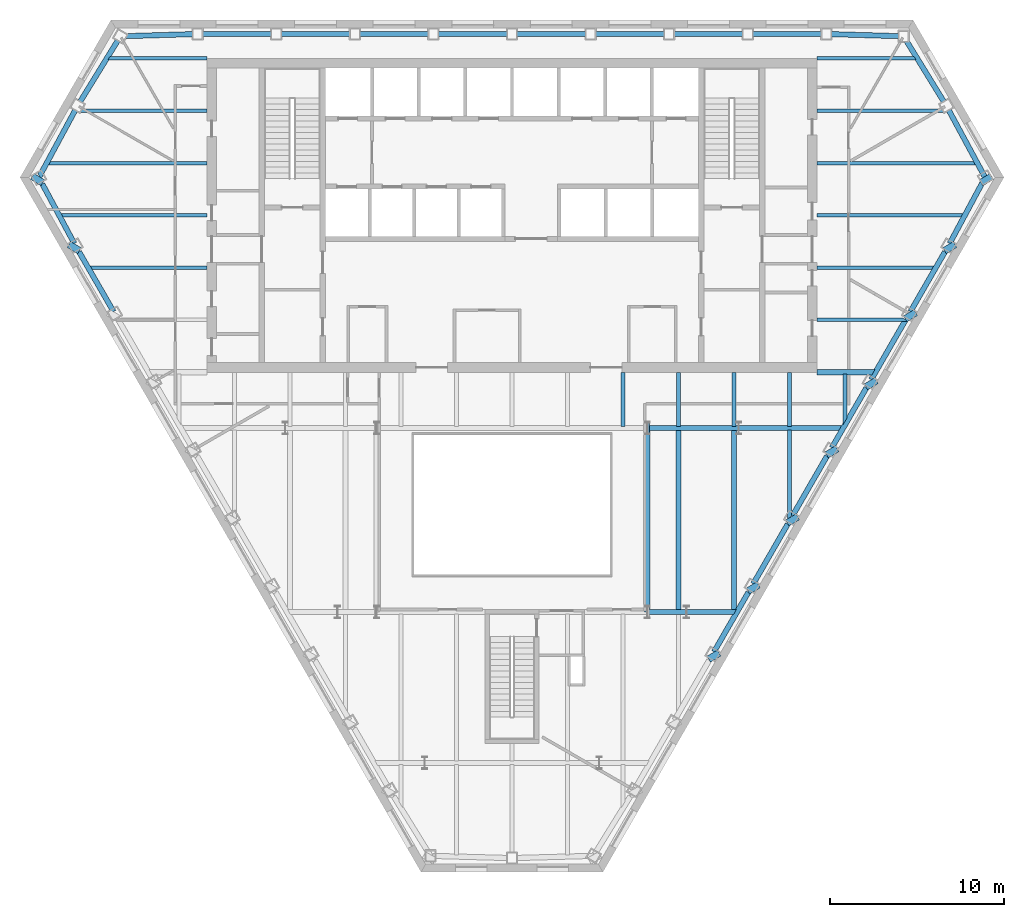
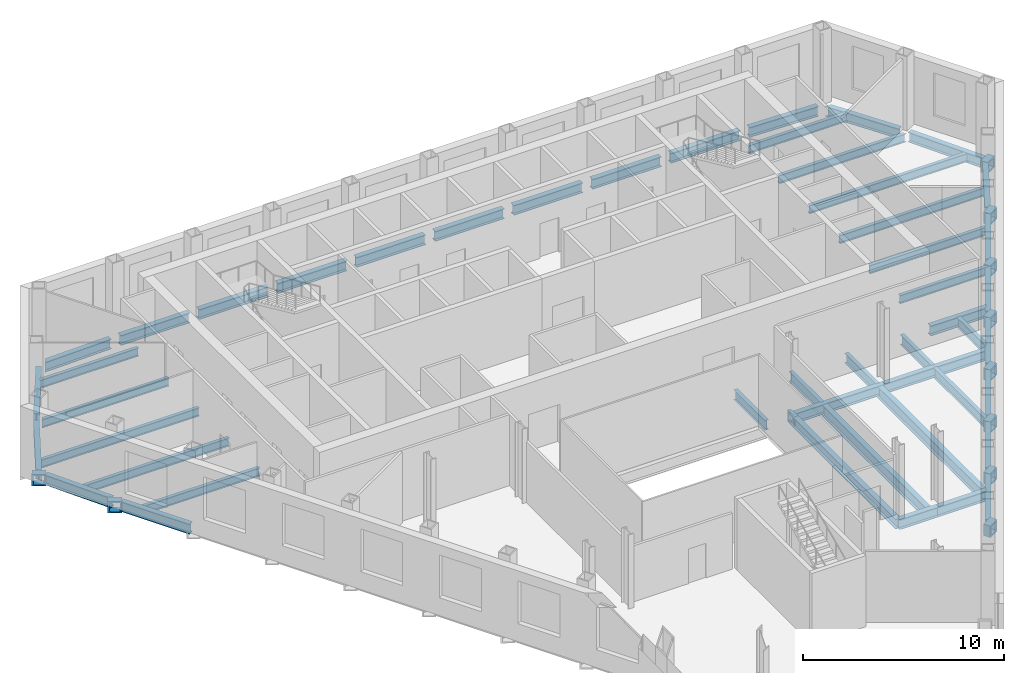
# One storey, part 3 of 11: 59 beams.
"""IFC4 building model written with IfcOpenShell, lengths in metres."""

from ifc_helpers import new_model, si_unit, direction, frame, origin, origin_2d, place, context, subcontext, project, spatial, hollow_rectangle, i_section, extrude, clip, halfspace, material, material_profile, profile_set, type_object, element, save


model = new_model("IFC4")

# Units and contexts
model_context = context("Model", 3, precision=1e-05, world=origin(), true_north=direction((0.0, 1.0)))
body_context = subcontext(model_context, "Body", "Model", "MODEL_VIEW")
ifc_project = project(units=[si_unit("LENGTHUNIT", "METRE"), si_unit("AREAUNIT", "SQUARE_METRE"), si_unit("VOLUMEUNIT", "CUBIC_METRE"), si_unit("PLANEANGLEUNIT", "RADIAN"), si_unit("MASSUNIT", "GRAM", prefix="KILO")], contexts=[model_context])

# Site, building, storey
site_placement = place(None, origin())
site = spatial("IfcSite", under=ifc_project, at=site_placement, CompositionType="ELEMENT")
building_placement = place(site_placement, origin())
building = spatial("IfcBuilding", under=site, at=building_placement, Name="Njiva Tower", CompositionType="ELEMENT")
storey_placement = place(building_placement, frame((0.0, 0.0, 84.3)))
storey = spatial("IfcBuildingStorey", under=building, at=storey_placement, Name="L17", CompositionType="ELEMENT", Elevation=84.3)

# Beams
ifc_material = material(Name="Steel S355 J2", Category="steel")
ifc_material_profile_1 = material_profile(ifc_material, i_section(OverallWidth=0.3, OverallDepth=0.69, WebThickness=0.0145, FlangeThickness=0.027, at=origin_2d()), Name="HEA 700")
ifc_profile_set_1 = profile_set([ifc_material_profile_1], Name="Steel S355 J2")
beam_type_1 = type_object("IfcBeamType", Name="B12 Long-span floor joist HEA 700", PredefinedType="JOIST", material=ifc_profile_set_1)
for number, where, z_axis, x_axis, name in (
    (1, (9.55, -3.3, -0.545), (0.0, -1.0, 0.0), (1.0, 0.0, 0.0), "Long-span floor joist S06-B079"),
    (2, (12.733, -3.3, -0.545), (0.0, -1.0, 0.0), (1.0, 0.0, 0.0), "Long-span floor joist S06-B081"),
):
    element("IfcBeam", number, at=place(storey_placement, frame(where, z_axis=z_axis, x_axis=x_axis)), inside=storey, type_object=beam_type_1, Name=name, PredefinedType="JOIST", context=body_context, shape_type="SweptSolid", body=[
        extrude(i_section(OverallWidth=0.3, OverallDepth=0.69, WebThickness=0.0145, FlangeThickness=0.027, at=origin_2d()), origin(), (0.0, 0.0, 1.0), 10.35),
    ])
ifc_material_profile_2 = material_profile(ifc_material, i_section(OverallWidth=0.22, OverallDepth=0.6, WebThickness=0.012, FlangeThickness=0.019, at=origin_2d()), Name="IPE 600")
ifc_profile_set_2 = profile_set([ifc_material_profile_2], Name="Steel S355 J2")
beam_type_2 = type_object("IfcBeamType", Name="B13 Floor joist IPE 600", PredefinedType="JOIST", material=ifc_profile_set_2)
beam_1_placement = place(storey_placement, frame((15.917, -3.3, -0.5), z_axis=(0.0, -1.0, 0.0), x_axis=(1.0, 0.0, 0.0)))
element("IfcBeam", 3, at=beam_1_placement, inside=storey, type_object=beam_type_2, Name="Floor joist S06-B083", PredefinedType="JOIST", context=body_context, shape_type="Clipping", body=[
    clip(extrude(i_section(OverallWidth=0.22, OverallDepth=0.6, WebThickness=0.012, FlangeThickness=0.019, at=origin_2d()), origin(), (0.0, 0.0, 1.0), 5.312), halfspace(frame((0.043, 0.0, 5.0263), z_axis=(0.866026552831, 0.0, 0.499998009787), x_axis=(0.0, 1.0, 0.0)), False)),
])
ifc_material_profile_3 = material_profile(ifc_material, i_section(OverallWidth=0.22, OverallDepth=0.6, WebThickness=0.012, FlangeThickness=0.019, at=origin_2d()), Name="IPE 600")
ifc_profile_set_3 = profile_set([ifc_material_profile_3], Name="Steel S355 J2")
beam_type_3 = type_object("IfcBeamType", Name="B14 Short-span floor joist IPE 600", PredefinedType="JOIST", material=ifc_profile_set_3)
beam_2_placement = place(storey_placement, frame((6.367, -0.005, -0.5), z_axis=(0.0, -1.0, 0.0), x_axis=(1.0, 0.0, 0.0)))
element("IfcBeam", 4, at=beam_2_placement, inside=storey, type_object=beam_type_3, Name="Short-span floor joist S06-B077", PredefinedType="JOIST", context=body_context, shape_type="SweptSolid", body=[
    extrude(i_section(OverallWidth=0.22, OverallDepth=0.6, WebThickness=0.012, FlangeThickness=0.019, at=origin_2d()), origin(), (0.0, 0.0, 1.0), 3.094),
])
for number, where, z_axis, x_axis, name in (
    (5, (9.55, -0.005, -0.5), (0.0, -1.0, 0.0), (1.0, 0.0, 0.0), "Short-span floor joist S06-B080"),
    (6, (12.733, -0.005, -0.5), (0.0, -1.0, 0.0), (1.0, 0.0, 0.0), "Short-span floor joist S06-B082"),
    (7, (15.917, -0.005, -0.5), (0.0, -1.0, 0.0), (1.0, 0.0, 0.0), "Short-span floor joist S06-B085"),
):
    element("IfcBeam", number, at=place(storey_placement, frame(where, z_axis=z_axis, x_axis=x_axis)), inside=storey, type_object=beam_type_3, Name=name, PredefinedType="JOIST", context=body_context, shape_type="SweptSolid", body=[
        extrude(i_section(OverallWidth=0.22, OverallDepth=0.6, WebThickness=0.012, FlangeThickness=0.019, at=origin_2d()), origin(), (0.0, 0.0, 1.0), 3.095),
    ])
beam_3_placement = place(storey_placement, frame((19.1, -0.1, -0.5), z_axis=(0.0, -1.0, 0.0), x_axis=(1.0, 0.0, 0.0)))
element("IfcBeam", 8, at=beam_3_placement, inside=storey, type_object=beam_type_3, Name="Short-span floor joist S06-B086", PredefinedType="JOIST", context=body_context, shape_type="Clipping", body=[
    clip(extrude(i_section(OverallWidth=0.22, OverallDepth=0.6, WebThickness=0.012, FlangeThickness=0.019, at=origin_2d()), origin(), (0.0, 0.0, 1.0), 2.923), halfspace(frame((0.0433, 0.0, 2.6366), z_axis=(0.866026552831, 0.0, 0.499998009787), x_axis=(0.0, 1.0, 0.0)), False)),
])
ifc_material_profile_4 = material_profile(ifc_material, hollow_rectangle(XDim=0.7, YDim=0.7, WallThickness=0.08, at=origin_2d()), Name="BOX 700x700x80")
ifc_profile_set_4 = profile_set([ifc_material_profile_4], Name="Steel S355 J2")
beam_type_4 = type_object("IfcBeamType", Name="B19 Column jog beam BOX 700x700x80", PredefinedType="BEAM", material=ifc_profile_set_4)
beam_4_placement = place(storey_placement, frame((-27.304, 10.883, -0.55), z_axis=(0.516374157389, 0.856363082799, 0.0), x_axis=(-0.856363082799, 0.516374157389, 0.0)))
element("IfcBeam", 9, at=beam_4_placement, inside=storey, type_object=beam_type_4, Name="Column jog beam S06-B028", PredefinedType="BEAM", context=body_context, shape_type="SweptSolid", body=[
    extrude(hollow_rectangle(XDim=0.7, YDim=0.7, WallThickness=0.08, at=origin_2d()), origin(), (0.0, 0.0, 1.0), 0.3912),
])
beam_5_placement = place(storey_placement, frame((-25.203, 6.978, -0.55), z_axis=(0.510011031991, 0.860167859925, 0.0), x_axis=(-0.860167859925, 0.510011031991, 0.0)))
element("IfcBeam", 10, at=beam_5_placement, inside=storey, type_object=beam_type_4, Name="Column jog beam S06-B029", PredefinedType="BEAM", context=body_context, shape_type="SweptSolid", body=[
    extrude(hollow_rectangle(XDim=0.7, YDim=0.7, WallThickness=0.08, at=origin_2d()), origin(), (0.0, 0.0, 1.0), 0.3941),
])
for number, where, z_axis, x_axis, name in (
    (11, (11.68, -16.444, -0.55), (-0.49804357169, 0.867152005532, 0.0), (-0.867152005532, -0.49804357169, 0.0), "Column jog beam S06-B046"),
    (12, (13.933, -12.541, -0.55), (-0.49804357169, 0.867152005532, 0.0), (-0.867152005532, -0.49804357169, 0.0), "Column jog beam S06-B047"),
):
    element("IfcBeam", number, at=place(storey_placement, frame(where, z_axis=z_axis, x_axis=x_axis)), inside=storey, type_object=beam_type_4, Name=name, PredefinedType="BEAM", context=body_context, shape_type="SweptSolid", body=[
        extrude(hollow_rectangle(XDim=0.7, YDim=0.7, WallThickness=0.08, at=origin_2d()), origin(), (0.0, 0.0, 1.0), 0.3955),
    ])
beam_6_placement = place(storey_placement, frame((16.187, -8.637, -0.55), z_axis=(-0.499137424967, 0.866522839282, 0.0), x_axis=(-0.866522839282, -0.499137424967, 0.0)))
element("IfcBeam", 13, at=beam_6_placement, inside=storey, type_object=beam_type_4, Name="Column jog beam S06-B048", PredefinedType="BEAM", context=body_context, shape_type="SweptSolid", body=[
    extrude(hollow_rectangle(XDim=0.7, YDim=0.7, WallThickness=0.08, at=origin_2d()), origin(), (0.0, 0.0, 1.0), 0.3947),
])
beam_7_placement = place(storey_placement, frame((18.441, -4.733, -0.55), z_axis=(-0.502135517387, 0.86478894661, 0.0), x_axis=(-0.86478894661, -0.502135517387, 0.0)))
element("IfcBeam", 14, at=beam_7_placement, inside=storey, type_object=beam_type_4, Name="Column jog beam S06-B049", PredefinedType="BEAM", context=body_context, shape_type="SweptSolid", body=[
    extrude(hollow_rectangle(XDim=0.7, YDim=0.7, WallThickness=0.08, at=origin_2d()), origin(), (0.0, 0.0, 1.0), 0.3943),
])
beam_8_placement = place(storey_placement, frame((20.695, -0.83, -0.55), z_axis=(-0.504028497348, 0.863687023094, 0.0), x_axis=(-0.863687023094, -0.504028497348, 0.0)))
element("IfcBeam", 15, at=beam_8_placement, inside=storey, type_object=beam_type_4, Name="Column jog beam S06-B050", PredefinedType="BEAM", context=body_context, shape_type="SweptSolid", body=[
    extrude(hollow_rectangle(XDim=0.7, YDim=0.7, WallThickness=0.08, at=origin_2d()), origin(), (0.0, 0.0, 1.0), 0.3948),
])
beam_9_placement = place(storey_placement, frame((22.949, 3.074, -0.55), z_axis=(-0.505133089795, 0.863041459951, 0.0), x_axis=(-0.863041459951, -0.505133089795, 0.0)))
element("IfcBeam", 16, at=beam_9_placement, inside=storey, type_object=beam_type_4, Name="Column jog beam S06-B051", PredefinedType="BEAM", context=body_context, shape_type="SweptSolid", body=[
    extrude(hollow_rectangle(XDim=0.7, YDim=0.7, WallThickness=0.08, at=origin_2d()), origin(), (0.0, 0.0, 1.0), 0.394),
])
beam_10_placement = place(storey_placement, frame((25.203, 6.978, -0.55), z_axis=(-0.510011031991, 0.860167859925, 0.0), x_axis=(-0.860167859925, -0.510011031991, 0.0)))
element("IfcBeam", 17, at=beam_10_placement, inside=storey, type_object=beam_type_4, Name="Column jog beam S06-B052", PredefinedType="BEAM", context=body_context, shape_type="SweptSolid", body=[
    extrude(hollow_rectangle(XDim=0.7, YDim=0.7, WallThickness=0.08, at=origin_2d()), origin(), (0.0, 0.0, 1.0), 0.3941),
])
beam_11_placement = place(storey_placement, frame((27.304, 10.883, -0.55), z_axis=(-0.516374157389, 0.856363082799, 0.0), x_axis=(-0.856363082799, -0.516374157389, 0.0)))
element("IfcBeam", 18, at=beam_11_placement, inside=storey, type_object=beam_type_4, Name="Column jog beam S06-B053", PredefinedType="BEAM", context=body_context, shape_type="SweptSolid", body=[
    extrude(hollow_rectangle(XDim=0.7, YDim=0.7, WallThickness=0.08, at=origin_2d()), origin(), (0.0, 0.0, 1.0), 0.3912),
])
beam_12_placement = place(storey_placement, frame((7.89, -3.2, -0.55), z_axis=(-1.0, 0.0, 0.0), x_axis=(0.0, -1.0, 0.0)))
element("IfcBeam", 19, at=beam_12_placement, inside=storey, type_object=beam_type_4, Name="Column jog beam S06-B044", PredefinedType="BEAM", context=body_context, shape_type="SweptSolid", body=[
    extrude(hollow_rectangle(XDim=0.7, YDim=0.7, WallThickness=0.08, at=origin_2d()), origin(), (0.0, 0.0, 1.0), 0.19),
])
ifc_material_profile_5 = material_profile(ifc_material, i_section(OverallWidth=0.3, OverallDepth=0.6, WebThickness=0.0155, FlangeThickness=0.03, at=origin_2d()), Name="HEB 600")
ifc_profile_set_5 = profile_set([ifc_material_profile_5], Name="Steel S355 J2")
beam_type_5 = type_object("IfcBeamType", Name="B20 Floor girder HEB 600", PredefinedType="BEAM", material=ifc_profile_set_5)
beam_13_placement = place(storey_placement, frame((7.76, -3.2, -0.5), z_axis=(1.0, 0.0, 0.0), x_axis=(0.0, 1.0, 0.0)))
element("IfcBeam", 20, at=beam_13_placement, inside=storey, type_object=beam_type_5, Name="Floor girder S06-B024", PredefinedType="BEAM", context=body_context, shape_type="SweptSolid", body=[
    extrude(i_section(OverallWidth=0.3, OverallDepth=0.6, WebThickness=0.0155, FlangeThickness=0.03, at=origin_2d()), origin(), (0.0, 0.0, 1.0), 5.24),
])
beam_14_placement = place(storey_placement, frame((13.0, -3.2, -0.5), z_axis=(1.0, 0.0, 0.0), x_axis=(0.0, 1.0, 0.0)))
element("IfcBeam", 21, at=beam_14_placement, inside=storey, type_object=beam_type_5, Name="Floor girder S06-B026", PredefinedType="BEAM", context=body_context, shape_type="Clipping", body=[
    clip(extrude(i_section(OverallWidth=0.3, OverallDepth=0.6, WebThickness=0.0155, FlangeThickness=0.03, at=origin_2d()), origin(), (0.0, 0.0, 1.0), 5.983), halfspace(frame((-0.025, 0.0, 5.8613), z_axis=(-0.499998009787, 0.0, 0.866026552831), x_axis=(0.0, 1.0, 0.0)), False)),
])
ifc_material_profile_6 = material_profile(ifc_material, i_section(OverallWidth=0.3, OverallDepth=0.6, WebThickness=0.0155, FlangeThickness=0.03, at=origin_2d()), Name="HEB 600")
ifc_profile_set_6 = profile_set([ifc_material_profile_6], Name="Steel S355 J2")
beam_type_6 = type_object("IfcBeamType", Name="B21 Short-span floor girder HEB 600", PredefinedType="BEAM", material=ifc_profile_set_6)
beam_15_placement = place(storey_placement, frame((7.76, -13.75, -0.5), z_axis=(1.0, 0.0, 0.0), x_axis=(0.0, 1.0, 0.0)))
element("IfcBeam", 22, at=beam_15_placement, inside=storey, type_object=beam_type_6, Name="Short-span floor girder S06-B023", PredefinedType="BEAM", context=body_context, shape_type="SweptSolid", body=[
    extrude(i_section(OverallWidth=0.3, OverallDepth=0.6, WebThickness=0.0155, FlangeThickness=0.03, at=origin_2d()), origin(), (0.0, 0.0, 1.0), 2.24),
])
beam_16_placement = place(storey_placement, frame((10.0, -13.75, -0.5), z_axis=(1.0, 0.0, 0.0), x_axis=(0.0, 1.0, 0.0)))
element("IfcBeam", 23, at=beam_16_placement, inside=storey, type_object=beam_type_6, Name="Short-span floor girder S06-B025", PredefinedType="BEAM", context=body_context, shape_type="Clipping", body=[
    clip(extrude(i_section(OverallWidth=0.3, OverallDepth=0.6, WebThickness=0.0155, FlangeThickness=0.03, at=origin_2d()), origin(), (0.0, 0.0, 1.0), 2.892), halfspace(frame((-0.025, 0.0, 2.7703), z_axis=(-0.499998009787, 0.0, 0.866026552831), x_axis=(0.0, 1.0, 0.0)), False)),
])
beam_17_placement = place(storey_placement, frame((17.5, 0.0, -0.5), z_axis=(1.0, 0.0, 0.0), x_axis=(0.0, 1.0, 0.0)))
element("IfcBeam", 24, at=beam_17_placement, inside=storey, type_object=beam_type_6, Name="Short-span floor girder S06-B027", PredefinedType="BEAM", context=body_context, shape_type="Clipping", body=[
    clip(extrude(i_section(OverallWidth=0.3, OverallDepth=0.6, WebThickness=0.0155, FlangeThickness=0.03, at=origin_2d()), origin(), (0.0, 0.0, 1.0), 3.33), halfspace(frame((-0.025, 0.0, 3.2089), z_axis=(-0.499998009787, 0.0, 0.866026552831), x_axis=(0.0, 1.0, 0.0)), False)),
])
ifc_material_profile_7 = material_profile(ifc_material, i_section(OverallWidth=0.3, OverallDepth=0.6, WebThickness=0.0155, FlangeThickness=0.03, at=origin_2d()), Name="HEB 600")
ifc_profile_set_7 = profile_set([ifc_material_profile_7], Name="Steel S355 J2")
beam_type_7 = type_object("IfcBeamType", Name="B23 Long-span atrium trimmer beam HEB 600", PredefinedType="BEAM", material=ifc_profile_set_7)
beam_18_placement = place(storey_placement, frame((7.76, -13.75, -0.5), z_axis=(0.0, 1.0, 0.0), x_axis=(-1.0, 0.0, 0.0)))
element("IfcBeam", 25, at=beam_18_placement, inside=storey, type_object=beam_type_7, Name="Long-span atrium trimmer beam S06-B091", PredefinedType="BEAM", context=body_context, shape_type="SweptSolid", body=[
    extrude(i_section(OverallWidth=0.3, OverallDepth=0.6, WebThickness=0.0155, FlangeThickness=0.03, at=origin_2d()), origin(), (0.0, 0.0, 1.0), 10.55),
])
ifc_material_profile_8 = material_profile(ifc_material, i_section(OverallWidth=0.2, OverallDepth=0.5, WebThickness=0.0102, FlangeThickness=0.016, at=origin_2d()), Name="IPE 500")
ifc_profile_set_8 = profile_set([ifc_material_profile_8], Name="Steel S355 J2")
beam_type_8 = type_object("IfcBeamType", Name="B24 Floor beam to the core IPE 500", PredefinedType="BEAM", material=ifc_profile_set_8)
beam_19_placement = place(storey_placement, frame((17.5, 3.0, -0.45), z_axis=(1.0, 0.0, 0.0), x_axis=(0.0, 1.0, 0.0)))
element("IfcBeam", 26, at=beam_19_placement, inside=storey, type_object=beam_type_8, Name="Floor beam to the core S06-B009", PredefinedType="BEAM", context=body_context, shape_type="Clipping", body=[
    clip(extrude(i_section(OverallWidth=0.2, OverallDepth=0.5, WebThickness=0.0102, FlangeThickness=0.016, at=origin_2d()), origin(), (0.0, 0.0, 1.0), 5.28), halfspace(frame((0.0433, 0.0, 5.0122), z_axis=(0.866026552831, 0.0, 0.499998009787), x_axis=(0.0, 1.0, 0.0)), False)),
])
beam_20_placement = place(storey_placement, frame((-24.265, 6.0, -0.45), z_axis=(1.0, 0.0, 0.0), x_axis=(0.0, 1.0, 0.0)))
element("IfcBeam", 27, at=beam_20_placement, inside=storey, type_object=beam_type_8, Name="Floor beam to the core S06-B004", PredefinedType="BEAM", context=body_context, shape_type="Clipping", body=[
    clip(extrude(i_section(OverallWidth=0.2, OverallDepth=0.5, WebThickness=0.0102, FlangeThickness=0.016, at=origin_2d()), origin(), (0.0, 0.0, 1.0), 6.765), halfspace(frame((-0.025, 0.0, 0.092), z_axis=(-0.499998009787, 0.0, -0.866026552831), x_axis=(0.0, -1.0, 0.0)), False)),
])
beam_21_placement = place(storey_placement, frame((17.5, 6.0, -0.45), z_axis=(1.0, 0.0, 0.0), x_axis=(0.0, 1.0, 0.0)))
element("IfcBeam", 28, at=beam_21_placement, inside=storey, type_object=beam_type_8, Name="Floor beam to the core S06-B010", PredefinedType="BEAM", context=body_context, shape_type="Clipping", body=[
    clip(extrude(i_section(OverallWidth=0.2, OverallDepth=0.5, WebThickness=0.0102, FlangeThickness=0.016, at=origin_2d()), origin(), (0.0, 0.0, 1.0), 6.765), halfspace(frame((-0.025, 0.0, 6.673), z_axis=(-0.499998009787, 0.0, 0.866026552831), x_axis=(0.0, 1.0, 0.0)), False)),
])
beam_22_placement = place(storey_placement, frame((-25.927, 9.0, -0.45), z_axis=(1.0, 0.0, 0.0), x_axis=(0.0, 1.0, 0.0)))
element("IfcBeam", 29, at=beam_22_placement, inside=storey, type_object=beam_type_8, Name="Floor beam to the core S06-B002", PredefinedType="BEAM", context=body_context, shape_type="Clipping", body=[
    clip(extrude(i_section(OverallWidth=0.2, OverallDepth=0.5, WebThickness=0.0102, FlangeThickness=0.016, at=origin_2d()), origin(), (0.0, 0.0, 1.0), 8.427), halfspace(frame((-0.0237, 0.0, 0.0867), z_axis=(-0.47376166762, 0.0, -0.88065309986), x_axis=(0.0, -1.0, 0.0)), False)),
])
beam_23_placement = place(storey_placement, frame((17.5, 9.0, -0.45), z_axis=(1.0, 0.0, 0.0), x_axis=(0.0, 1.0, 0.0)))
element("IfcBeam", 30, at=beam_23_placement, inside=storey, type_object=beam_type_8, Name="Floor beam to the core S06-B011", PredefinedType="BEAM", context=body_context, shape_type="Clipping", body=[
    clip(extrude(i_section(OverallWidth=0.2, OverallDepth=0.5, WebThickness=0.0102, FlangeThickness=0.016, at=origin_2d()), origin(), (0.0, 0.0, 1.0), 8.427), halfspace(frame((-0.0237, 0.0, 8.3403), z_axis=(-0.47376166762, 0.0, 0.88065309986), x_axis=(0.0, 1.0, 0.0)), False)),
])
beam_24_placement = place(storey_placement, frame((-26.643, 12.0, -0.45), z_axis=(1.0, 0.0, 0.0), x_axis=(0.0, 1.0, 0.0)))
element("IfcBeam", 31, at=beam_24_placement, inside=storey, type_object=beam_type_8, Name="Floor beam to the core S06-B001", PredefinedType="BEAM", context=body_context, shape_type="Clipping", body=[
    clip(extrude(i_section(OverallWidth=0.2, OverallDepth=0.5, WebThickness=0.0102, FlangeThickness=0.016, at=origin_2d()), origin(), (0.0, 0.0, 1.0), 9.143), halfspace(frame((0.0238, 0.0, 0.0866), z_axis=(0.475159753962, 0.0, -0.879899544388), x_axis=(0.0, -1.0, 0.0)), False)),
])
beam_25_placement = place(storey_placement, frame((17.5, 12.0, -0.45), z_axis=(1.0, 0.0, 0.0), x_axis=(0.0, 1.0, 0.0)))
element("IfcBeam", 32, at=beam_25_placement, inside=storey, type_object=beam_type_8, Name="Floor beam to the core S06-B012", PredefinedType="BEAM", context=body_context, shape_type="Clipping", body=[
    clip(extrude(i_section(OverallWidth=0.2, OverallDepth=0.5, WebThickness=0.0102, FlangeThickness=0.016, at=origin_2d()), origin(), (0.0, 0.0, 1.0), 9.143), halfspace(frame((0.0238, 0.0, 9.0564), z_axis=(0.475159753962, 0.0, 0.879899544388), x_axis=(0.0, 1.0, 0.0)), False)),
])
beam_26_placement = place(storey_placement, frame((-24.806, 15.0, -0.45), z_axis=(1.0, 0.0, 0.0), x_axis=(0.0, 1.0, 0.0)))
element("IfcBeam", 33, at=beam_26_placement, inside=storey, type_object=beam_type_8, Name="Floor beam to the core S06-B003", PredefinedType="BEAM", context=body_context, shape_type="Clipping", body=[
    clip(extrude(i_section(OverallWidth=0.2, OverallDepth=0.5, WebThickness=0.0102, FlangeThickness=0.016, at=origin_2d()), origin(), (0.0, 0.0, 1.0), 7.306), halfspace(frame((0.025, 0.0, 0.0929), z_axis=(0.499998009787, 0.0, -0.866026552831), x_axis=(0.0, -1.0, 0.0)), False)),
])
beam_27_placement = place(storey_placement, frame((17.5, 15.0, -0.45), z_axis=(1.0, 0.0, 0.0), x_axis=(0.0, 1.0, 0.0)))
element("IfcBeam", 34, at=beam_27_placement, inside=storey, type_object=beam_type_8, Name="Floor beam to the core S06-B013", PredefinedType="BEAM", context=body_context, shape_type="Clipping", body=[
    clip(extrude(i_section(OverallWidth=0.2, OverallDepth=0.5, WebThickness=0.0102, FlangeThickness=0.016, at=origin_2d()), origin(), (0.0, 0.0, 1.0), 7.306), halfspace(frame((0.025, 0.0, 7.2131), z_axis=(0.499998009787, 0.0, 0.866026552831), x_axis=(0.0, 1.0, 0.0)), False)),
])
beam_28_placement = place(storey_placement, frame((-23.201, 18.0, -0.45), z_axis=(1.0, 0.0, 0.0), x_axis=(0.0, 1.0, 0.0)))
element("IfcBeam", 35, at=beam_28_placement, inside=storey, type_object=beam_type_8, Name="Floor beam to the core S06-B005", PredefinedType="BEAM", context=body_context, shape_type="Clipping", body=[
    clip(extrude(i_section(OverallWidth=0.2, OverallDepth=0.5, WebThickness=0.0102, FlangeThickness=0.016, at=origin_2d()), origin(), (0.0, 0.0, 1.0), 5.701), halfspace(frame((0.0262, 0.0, 0.098), z_axis=(0.524438842014, 0.0, -0.851448119962), x_axis=(0.0, -1.0, 0.0)), False)),
])
beam_29_placement = place(storey_placement, frame((17.5, 18.0, -0.45), z_axis=(1.0, 0.0, 0.0), x_axis=(0.0, 1.0, 0.0)))
element("IfcBeam", 36, at=beam_29_placement, inside=storey, type_object=beam_type_8, Name="Floor beam to the core S06-B014", PredefinedType="BEAM", context=body_context, shape_type="Clipping", body=[
    clip(extrude(i_section(OverallWidth=0.2, OverallDepth=0.5, WebThickness=0.0102, FlangeThickness=0.016, at=origin_2d()), origin(), (0.0, 0.0, 1.0), 5.701), halfspace(frame((0.0262, 0.0, 5.603), z_axis=(0.524438842014, 0.0, 0.851448119962), x_axis=(0.0, 1.0, 0.0)), False)),
])
ifc_material_profile_9 = material_profile(ifc_material, i_section(OverallWidth=0.3, OverallDepth=0.6, WebThickness=0.0155, FlangeThickness=0.03, at=origin_2d()), Name="HEB 600")
ifc_profile_set_9 = profile_set([ifc_material_profile_9], Name="Steel S355 J2")
beam_type_9 = type_object("IfcBeamType", Name="B3 Short-span spandrel beam HEB 600", PredefinedType="SPANDREL", material=ifc_profile_set_9)
beam_30_placement = place(storey_placement, frame((22.182, 19.275, -0.5), z_axis=(-0.999544015996, 0.030195365317, 0.0), x_axis=(-0.030195365317, -0.999544015996, 0.0)))
element("IfcBeam", 37, at=beam_30_placement, inside=storey, type_object=beam_type_9, Name="Short-span spandrel beam S06-B145", PredefinedType="SPANDREL", context=body_context, shape_type="SweptSolid", body=[
    extrude(i_section(OverallWidth=0.3, OverallDepth=0.6, WebThickness=0.0155, FlangeThickness=0.03, at=origin_2d()), origin(), (0.0, 0.0, 1.0), 3.8748),
])
beam_31_placement = place(storey_placement, frame((17.755, 19.4, -0.5), z_axis=(-1.0, 0.0, 0.0), x_axis=(0.0, -1.0, 0.0)))
element("IfcBeam", 38, at=beam_31_placement, inside=storey, type_object=beam_type_9, Name="Short-span spandrel beam S06-B139", PredefinedType="SPANDREL", context=body_context, shape_type="SweptSolid", body=[
    extrude(i_section(OverallWidth=0.3, OverallDepth=0.6, WebThickness=0.0155, FlangeThickness=0.03, at=origin_2d()), origin(), (0.0, 0.0, 1.0), 3.957),
])
beam_32_placement = place(storey_placement, frame((13.248, 19.4, -0.5), z_axis=(-1.0, 0.0, 0.0), x_axis=(0.0, -1.0, 0.0)))
element("IfcBeam", 39, at=beam_32_placement, inside=storey, type_object=beam_type_9, Name="Short-span spandrel beam S06-B133", PredefinedType="SPANDREL", context=body_context, shape_type="SweptSolid", body=[
    extrude(i_section(OverallWidth=0.3, OverallDepth=0.6, WebThickness=0.0155, FlangeThickness=0.03, at=origin_2d()), origin(), (0.0, 0.0, 1.0), 3.958),
])
beam_33_placement = place(storey_placement, frame((8.74, 19.4, -0.5), z_axis=(-1.0, 0.0, 0.0), x_axis=(0.0, -1.0, 0.0)))
element("IfcBeam", 40, at=beam_33_placement, inside=storey, type_object=beam_type_9, Name="Short-span spandrel beam S06-B129", PredefinedType="SPANDREL", context=body_context, shape_type="SweptSolid", body=[
    extrude(i_section(OverallWidth=0.3, OverallDepth=0.6, WebThickness=0.0155, FlangeThickness=0.03, at=origin_2d()), origin(), (0.0, 0.0, 1.0), 3.957),
])
for number, where, z_axis, x_axis, name in (
    (41, (4.233, 19.4, -0.5), (-1.0, 0.0, 0.0), (0.0, -1.0, 0.0), "Short-span spandrel beam S06-B125"),
    (42, (-0.275, 19.4, -0.5), (-1.0, 0.0, 0.0), (0.0, -1.0, 0.0), "Short-span spandrel beam S06-B124"),
):
    element("IfcBeam", number, at=place(storey_placement, frame(where, z_axis=z_axis, x_axis=x_axis)), inside=storey, type_object=beam_type_9, Name=name, PredefinedType="SPANDREL", context=body_context, shape_type="SweptSolid", body=[
        extrude(i_section(OverallWidth=0.3, OverallDepth=0.6, WebThickness=0.0155, FlangeThickness=0.03, at=origin_2d()), origin(), (0.0, 0.0, 1.0), 3.958),
    ])
beam_34_placement = place(storey_placement, frame((-4.783, 19.4, -0.5), z_axis=(-1.0, 0.0, 0.0), x_axis=(0.0, -1.0, 0.0)))
element("IfcBeam", 43, at=beam_34_placement, inside=storey, type_object=beam_type_9, Name="Short-span spandrel beam S06-B119", PredefinedType="SPANDREL", context=body_context, shape_type="SweptSolid", body=[
    extrude(i_section(OverallWidth=0.3, OverallDepth=0.6, WebThickness=0.0155, FlangeThickness=0.03, at=origin_2d()), origin(), (0.0, 0.0, 1.0), 3.957),
])
beam_35_placement = place(storey_placement, frame((-9.29, 19.4, -0.5), z_axis=(-1.0, 0.0, 0.0), x_axis=(0.0, -1.0, 0.0)))
element("IfcBeam", 44, at=beam_35_placement, inside=storey, type_object=beam_type_9, Name="Short-span spandrel beam S06-B114", PredefinedType="SPANDREL", context=body_context, shape_type="SweptSolid", body=[
    extrude(i_section(OverallWidth=0.3, OverallDepth=0.6, WebThickness=0.0155, FlangeThickness=0.03, at=origin_2d()), origin(), (0.0, 0.0, 1.0), 3.958),
])
beam_36_placement = place(storey_placement, frame((-13.798, 19.4, -0.5), z_axis=(-1.0, 0.0, 0.0), x_axis=(0.0, -1.0, 0.0)))
element("IfcBeam", 45, at=beam_36_placement, inside=storey, type_object=beam_type_9, Name="Short-span spandrel beam S06-B108", PredefinedType="SPANDREL", context=body_context, shape_type="SweptSolid", body=[
    extrude(i_section(OverallWidth=0.3, OverallDepth=0.6, WebThickness=0.0155, FlangeThickness=0.03, at=origin_2d()), origin(), (0.0, 0.0, 1.0), 3.957),
])
beam_37_placement = place(storey_placement, frame((-18.309, 19.392, -0.5), z_axis=(-0.999542384946, -0.030249309018, 0.0), x_axis=(0.030249309018, -0.999542384946, 0.0)))
element("IfcBeam", 46, at=beam_37_placement, inside=storey, type_object=beam_type_9, Name="Short-span spandrel beam S06-B102", PredefinedType="SPANDREL", context=body_context, shape_type="Clipping", body=[
    clip(extrude(i_section(OverallWidth=0.3, OverallDepth=0.6, WebThickness=0.0155, FlangeThickness=0.03, at=origin_2d()), origin(), (0.0, 0.0, 1.0), 3.9147), halfspace(frame((-0.0266, 0.0, 3.7851), z_axis=(-0.525965907985, 0.0, 0.850505651737), x_axis=(0.0, 1.0, 0.0)), False)),
])
beam_38_placement = place(storey_placement, frame((-22.604, 19.028, -0.5), z_axis=(-0.524246443957, -0.851566595163, 0.0), x_axis=(0.851566595163, -0.524246443957, 0.0)))
element("IfcBeam", 47, at=beam_38_placement, inside=storey, type_object=beam_type_9, Name="Short-span spandrel beam S06-B099", PredefinedType="SPANDREL", context=body_context, shape_type="SweptSolid", body=[
    extrude(i_section(OverallWidth=0.3, OverallDepth=0.6, WebThickness=0.0155, FlangeThickness=0.03, at=origin_2d()), origin(), (0.0, 0.0, 1.0), 4.1183),
])
beam_39_placement = place(storey_placement, frame((-25.042, 15.039, -0.5), z_axis=(-0.47509166363, -0.879936310848, 0.0), x_axis=(0.879936310848, -0.47509166363, 0.0)))
element("IfcBeam", 48, at=beam_39_placement, inside=storey, type_object=beam_type_9, Name="Short-span spandrel beam S06-B093", PredefinedType="SPANDREL", context=body_context, shape_type="Clipping", body=[
    clip(extrude(i_section(OverallWidth=0.3, OverallDepth=0.6, WebThickness=0.0155, FlangeThickness=0.03, at=origin_2d()), origin(), (0.0, 0.0, 1.0), 4.4396), halfspace(frame((-0.0264, 0.0, 4.3114), z_axis=(-0.524503323714, 0.0, 0.851408399896), x_axis=(0.0, 1.0, 0.0)), False)),
])
beam_40_placement = place(storey_placement, frame((-26.938, 10.806, -0.5), z_axis=(0.473730701413, -0.880669757934, 0.0), x_axis=(0.880669757934, 0.473730701413, 0.0)))
element("IfcBeam", 49, at=beam_40_placement, inside=storey, type_object=beam_type_9, Name="Short-span spandrel beam S06-B096", PredefinedType="SPANDREL", context=body_context, shape_type="SweptSolid", body=[
    extrude(i_section(OverallWidth=0.3, OverallDepth=0.6, WebThickness=0.0155, FlangeThickness=0.03, at=origin_2d()), origin(), (0.0, 0.0, 1.0), 3.8777),
])
beam_41_placement = place(storey_placement, frame((-24.829, 6.911, -0.5), z_axis=(0.499970304126, -0.866042548026, 0.0), x_axis=(0.866042548026, 0.499970304126, 0.0)))
element("IfcBeam", 50, at=beam_41_placement, inside=storey, type_object=beam_type_9, Name="Short-span spandrel beam S06-B098", PredefinedType="SPANDREL", context=body_context, shape_type="SweptSolid", body=[
    extrude(i_section(OverallWidth=0.3, OverallDepth=0.6, WebThickness=0.0155, FlangeThickness=0.03, at=origin_2d()), origin(), (0.0, 0.0, 1.0), 3.9582),
])
beam_42_placement = place(storey_placement, frame((11.581, -16.035, -0.5), z_axis=(0.499890179513, 0.866088799389, 0.0), x_axis=(-0.866088799389, 0.499890179513, 0.0)))
element("IfcBeam", 51, at=beam_42_placement, inside=storey, type_object=beam_type_9, Name="Short-span spandrel beam S06-B136", PredefinedType="SPANDREL", context=body_context, shape_type="SweptSolid", body=[
    extrude(i_section(OverallWidth=0.3, OverallDepth=0.6, WebThickness=0.0155, FlangeThickness=0.03, at=origin_2d()), origin(), (0.0, 0.0, 1.0), 3.9569),
])
for number, where, z_axis, x_axis, name in (
    (52, (13.834, -12.132, -0.5), (0.499970304126, 0.866042548026, 0.0), (-0.866042548026, 0.499970304126, 0.0), "Short-span spandrel beam S06-B140"),
    (53, (16.088, -8.228, -0.5), (0.499970304126, 0.866042548026, 0.0), (-0.866042548026, 0.499970304126, 0.0), "Short-span spandrel beam S06-B142"),
):
    element("IfcBeam", number, at=place(storey_placement, frame(where, z_axis=z_axis, x_axis=x_axis)), inside=storey, type_object=beam_type_9, Name=name, PredefinedType="SPANDREL", context=body_context, shape_type="SweptSolid", body=[
        extrude(i_section(OverallWidth=0.3, OverallDepth=0.6, WebThickness=0.0155, FlangeThickness=0.03, at=origin_2d()), origin(), (0.0, 0.0, 1.0), 3.9582),
    ])
beam_43_placement = place(storey_placement, frame((18.342, -4.324, -0.5), z_axis=(0.500079715141, 0.865979375335, 0.0), x_axis=(-0.865979375335, 0.500079715141, 0.0)))
element("IfcBeam", 54, at=beam_43_placement, inside=storey, type_object=beam_type_9, Name="Short-span spandrel beam S06-B146", PredefinedType="SPANDREL", context=body_context, shape_type="SweptSolid", body=[
    extrude(i_section(OverallWidth=0.3, OverallDepth=0.6, WebThickness=0.0155, FlangeThickness=0.03, at=origin_2d()), origin(), (0.0, 0.0, 1.0), 3.9574),
])
for number, where, z_axis, x_axis, name in (
    (55, (20.596, -0.421, -0.5), (0.499970304126, 0.866042548026, 0.0), (-0.866042548026, 0.499970304126, 0.0), "Short-span spandrel beam S06-B148"),
    (56, (22.85, 3.483, -0.5), (0.499970304126, 0.866042548026, 0.0), (-0.866042548026, 0.499970304126, 0.0), "Short-span spandrel beam S06-B151"),
):
    element("IfcBeam", number, at=place(storey_placement, frame(where, z_axis=z_axis, x_axis=x_axis)), inside=storey, type_object=beam_type_9, Name=name, PredefinedType="SPANDREL", context=body_context, shape_type="SweptSolid", body=[
        extrude(i_section(OverallWidth=0.3, OverallDepth=0.6, WebThickness=0.0155, FlangeThickness=0.03, at=origin_2d()), origin(), (0.0, 0.0, 1.0), 3.9582),
    ])
beam_44_placement = place(storey_placement, frame((25.101, 7.391, -0.5), z_axis=(0.473706384073, 0.880682838307, 0.0), x_axis=(-0.880682838307, 0.473706384073, 0.0)))
element("IfcBeam", 57, at=beam_44_placement, inside=storey, type_object=beam_type_9, Name="Short-span spandrel beam S06-B155", PredefinedType="SPANDREL", context=body_context, shape_type="Clipping", body=[
    clip(extrude(i_section(OverallWidth=0.3, OverallDepth=0.6, WebThickness=0.0155, FlangeThickness=0.03, at=origin_2d()), origin(), (0.0, 0.0, 1.0), 4.0543), halfspace(frame((-0.0266, 0.0, 3.925), z_axis=(-0.525842473337, 0.0, 0.85058197326), x_axis=(0.0, 1.0, 0.0)), False)),
])
beam_45_placement = place(storey_placement, frame((27.13, 11.173, -0.5), z_axis=(-0.475212348901, 0.879871140254, 0.0), x_axis=(-0.879871140254, -0.475212348901, 0.0)))
element("IfcBeam", 58, at=beam_45_placement, inside=storey, type_object=beam_type_9, Name="Short-span spandrel beam S06-B154", PredefinedType="SPANDREL", context=body_context, shape_type="SweptSolid", body=[
    extrude(i_section(OverallWidth=0.3, OverallDepth=0.6, WebThickness=0.0155, FlangeThickness=0.03, at=origin_2d()), origin(), (0.0, 0.0, 1.0), 4.3938),
])
beam_46_placement = place(storey_placement, frame((24.763, 15.521, -0.5), z_axis=(-0.524345563629, 0.851505566572, 0.0), x_axis=(-0.851505566572, -0.524345563629, 0.0)))
element("IfcBeam", 59, at=beam_46_placement, inside=storey, type_object=beam_type_9, Name="Short-span spandrel beam S06-B150", PredefinedType="SPANDREL", context=body_context, shape_type="Clipping", body=[
    clip(extrude(i_section(OverallWidth=0.3, OverallDepth=0.6, WebThickness=0.0155, FlangeThickness=0.03, at=origin_2d()), origin(), (0.0, 0.0, 1.0), 4.1589), halfspace(frame((-0.0262, 0.0, 4.0308), z_axis=(-0.524345563629, 0.0, 0.851505566572), x_axis=(0.0, 1.0, 0.0)), False)),
])

save(model, "model.ifc")
